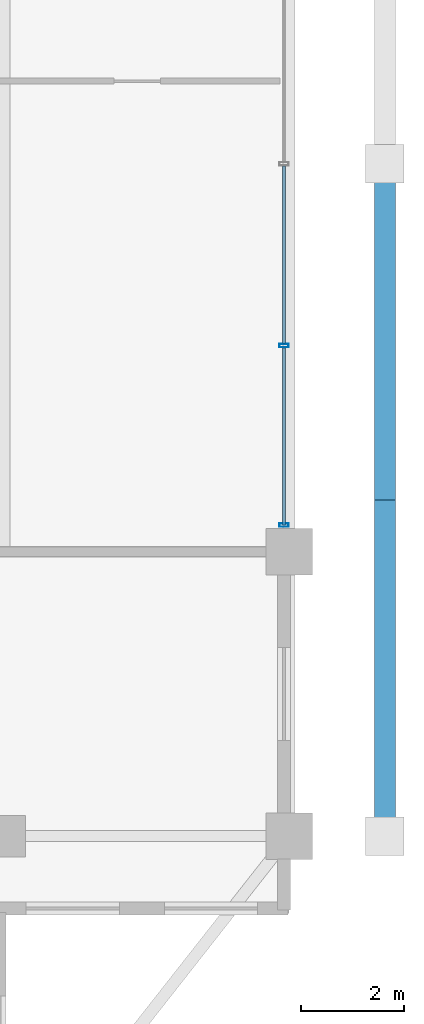
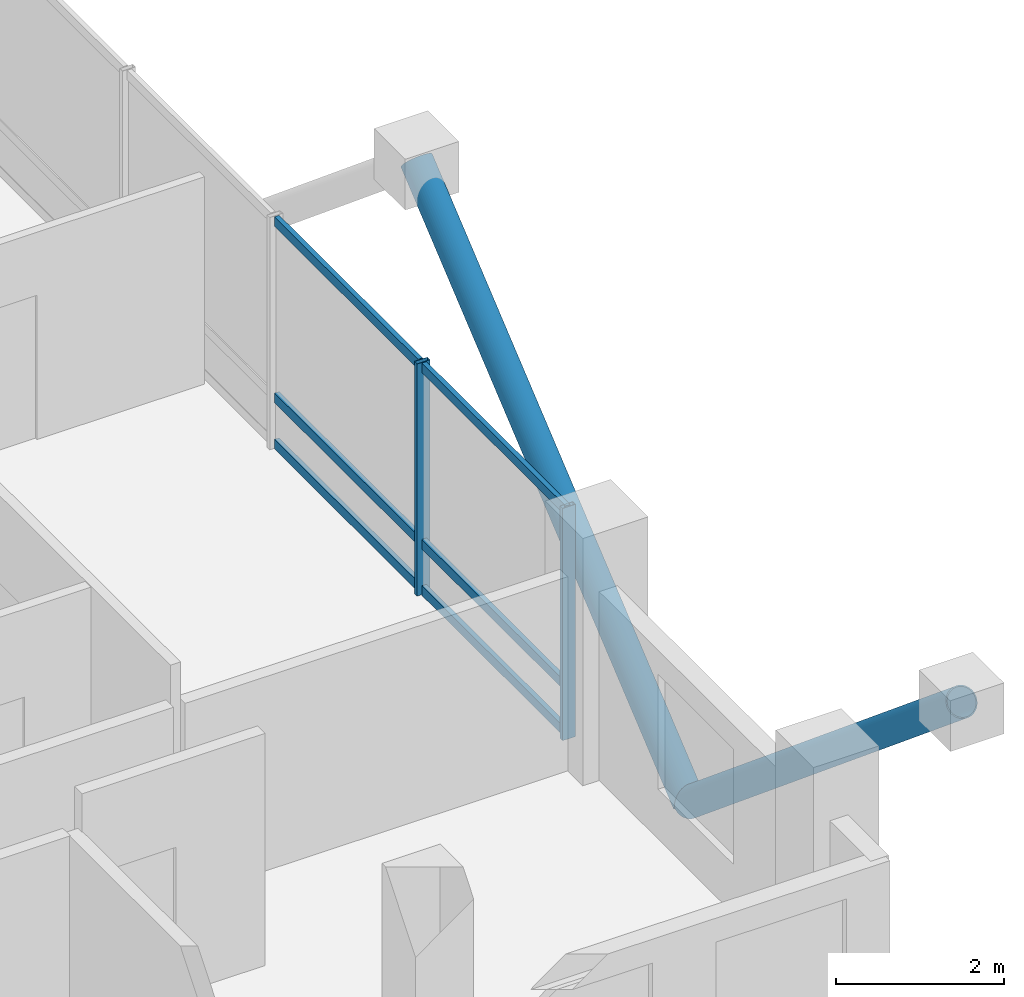
# One storey, part 11 of 23: 10 members, 1 element without a shape of its own.
"""IFC4 building model written with IfcOpenShell, lengths in metres."""

import ifcopenshell
import ifcopenshell.guid

model = None  # the IFC model being written
_history = None  # IfcOwnerHistory: only IFC2X3 demands one
_inside = {}  # id of a spatial element -> (the spatial element, [elements in it])
_under = {}  # id of a project, library or spatial element -> (it, [spatial elements below it])
_declared = {}  # id of a project -> (the project, [libraries it declares])
_typed = {}  # id of a type object -> (the type object, [elements of that type])
_made_of = {}  # id of a material, layer set ... -> (it, [elements and type objects made of it])


def new_model(schema):
    """Start an empty IFC model of exactly this schema.

    Asked for "IFC4X3", IfcOpenShell would pick the latest addendum, in which some entities
    have other attributes; the version numbers below select the first issue.
    IFC2X3 requires an IfcOwnerHistory on every rooted entity: one is made here for all.
    """
    global model, _history
    if schema == "IFC4X3":
        model = ifcopenshell.file(schema_version=(4, 3, 0, 0))
    else:
        model = ifcopenshell.file(schema=schema)
    _inside.clear()
    _under.clear()
    _declared.clear()
    _typed.clear()
    _made_of.clear()
    _history = None
    if model.schema == "IFC2X3":
        org = make("IfcOrganization", Name="unknown")
        user = make(
            "IfcPersonAndOrganization",
            ThePerson=make("IfcPerson", FamilyName="unknown"),
            TheOrganization=org,
        )
        app = make(
            "IfcApplication",
            ApplicationDeveloper=org,
            Version="unknown",
            ApplicationFullName="unknown",
            ApplicationIdentifier="unknown",
        )
        _history = make(
            "IfcOwnerHistory",
            OwningUser=user,
            OwningApplication=app,
            ChangeAction="ADDED",
            CreationDate=0,
        )
    return model


def make(cls, **values):
    """One entity of the class cls with the attributes given. An attribute that is None is left unset."""
    return model.create_entity(
        cls, **{name: value for name, value in values.items() if value is not None}
    )


def rooted(cls, **values):
    """An entity with a GlobalId (a new one), such as an element, a storey or a relation."""
    return make(cls, GlobalId=ifcopenshell.guid.new(), OwnerHistory=_history, **values)


def si_unit(unit_type, name, prefix=None):
    """IfcSIUnit, for example si_unit("LENGTHUNIT", "METRE", prefix="MILLI")."""
    return make("IfcSIUnit", UnitType=unit_type, Prefix=prefix, Name=name)


def assignment(units):
    """IfcUnitAssignment: the units of a project."""
    return None if units is None else make("IfcUnitAssignment", Units=units)


def point(xyz):
    """IfcCartesianPoint."""
    return None if xyz is None else make("IfcCartesianPoint", Coordinates=xyz)


def direction(xyz):
    """IfcDirection."""
    return None if xyz is None else make("IfcDirection", DirectionRatios=xyz)


def frame(location, z_axis=None, x_axis=None):
    """IfcAxis2Placement3D, a coordinate frame: its origin and axes. An axis left out is left unset."""
    return make(
        "IfcAxis2Placement3D",
        Location=point(location),
        Axis=direction(z_axis),
        RefDirection=direction(x_axis),
    )


def frame_2d(location, x_axis=None):
    """IfcAxis2Placement2D, a coordinate frame in the plane: its origin and x axis."""
    return make(
        "IfcAxis2Placement2D", Location=point(location), RefDirection=direction(x_axis)
    )


def origin():
    """The frame at (0, 0, 0) with its axes left unset."""
    return frame((0.0, 0.0, 0.0))


def origin_2d():
    """The frame at (0, 0) in the plane with its x axis left unset."""
    return frame_2d((0.0, 0.0))


def place(relative_to, where):
    """IfcLocalPlacement: puts the frame where relative to a parent placement (None: the world)."""
    return make(
        "IfcLocalPlacement", PlacementRelTo=relative_to, RelativePlacement=where
    )


def context(
    kind, dimensions, precision=None, world=None, true_north=None, identifier=None
):
    """IfcGeometricRepresentationContext, for example the 3D "Model" context."""
    return make(
        "IfcGeometricRepresentationContext",
        ContextIdentifier=identifier,
        ContextType=kind,
        CoordinateSpaceDimension=dimensions,
        Precision=precision,
        WorldCoordinateSystem=world,
        TrueNorth=true_north,
    )


def subcontext(parent, identifier, kind, view, scale=None):
    """IfcGeometricRepresentationSubContext, for example "Body" below "Model"."""
    return make(
        "IfcGeometricRepresentationSubContext",
        ContextIdentifier=identifier,
        ContextType=kind,
        ParentContext=parent,
        TargetScale=scale,
        TargetView=view,
    )


def project(units=None, contexts=None):
    """IfcProject with its units and contexts."""
    return rooted(
        "IfcProject",
        Name="project",
        RepresentationContexts=contexts,
        UnitsInContext=assignment(units),
    )


def spatial(cls, under=None, at=None, **own):
    """A site, building, storey or space (cls), placed at a placement, below another one or the project."""
    s = rooted(cls, ObjectPlacement=at, **own)
    if under is not None:
        _under.setdefault(under.id(), (under, []))[1].append(s)
    return s


def profile(cls, at=None, kind="AREA", **sizes):
    """A parametric profile (cls). Its sizes go by their IFC names, for example OverallWidth=200.0."""
    return make(cls, ProfileType=kind, Position=at, **sizes)


def hollow_rectangle(**sizes):
    """IfcRectangleHollowProfileDef."""
    return profile("IfcRectangleHollowProfileDef", **sizes)


def hollow_circle(**sizes):
    """IfcCircleHollowProfileDef."""
    return profile("IfcCircleHollowProfileDef", **sizes)


def extrude(swept, where, along, depth):
    """IfcExtrudedAreaSolid: the profile swept, set in the frame where, extruded along a direction by depth."""
    return make(
        "IfcExtrudedAreaSolid",
        SweptArea=swept,
        Position=where,
        ExtrudedDirection=direction(along),
        Depth=depth,
    )


def shape(context_of_items, identifier, shape_type, items):
    """IfcShapeRepresentation: the items that make up one representation, for example the "Body"."""
    return make(
        "IfcShapeRepresentation",
        ContextOfItems=context_of_items,
        RepresentationIdentifier=identifier,
        RepresentationType=shape_type,
        Items=items,
    )


def material(Name=None, Category=None):
    """IfcMaterial."""
    return make("IfcMaterial", Name=Name, Category=Category)


def layer(
    of_material, thickness, ventilated=None, Name=None, Category=None, Priority=None
):
    """IfcMaterialLayer: one layer of a wall or slab, of a material (None: an air gap)."""
    return make(
        "IfcMaterialLayer",
        Material=of_material,
        LayerThickness=thickness,
        IsVentilated=ventilated,
        Name=Name,
        Category=Category,
        Priority=Priority,
    )


def layer_set(layers, Name=None):
    """IfcMaterialLayerSet."""
    return make("IfcMaterialLayerSet", MaterialLayers=layers, LayerSetName=Name)


def material_profile(
    of_material, cross_section, Name=None, Category=None, Priority=None
):
    """IfcMaterialProfile: a cross section and its material."""
    return make(
        "IfcMaterialProfile",
        Name=Name,
        Material=of_material,
        Profile=cross_section,
        Priority=Priority,
        Category=Category,
    )


def profile_set(profiles, Name=None, composite=None):
    """IfcMaterialProfileSet."""
    return make(
        "IfcMaterialProfileSet",
        Name=Name,
        MaterialProfiles=profiles,
        CompositeProfile=composite,
    )


def made_of(thing, what):
    """Note that an element or type object is made of a material, layer set ...; save() writes the relation."""
    if what is not None:
        _made_of.setdefault(what.id(), (what, []))[1].append(thing)
    return thing


def type_object(cls, material=None, **own):
    """A type object (cls), such as IfcWallType, which elements share."""
    return made_of(rooted(cls, **own), material)


def element(
    cls,
    number,
    at=None,
    inside=None,
    cuts=None,
    type_object=None,
    material=None,
    context=None,
    identifier="Body",
    shape_type=None,
    held_by="IfcProductDefinitionShape",
    body=None,
    shapes=None,
    **own,
):
    """One element of the class cls, such as IfcWall. Its Tag is "e" and its number.

    at: its placement. inside: the storey or other place that contains it. cuts: it is an
    opening in that element (IfcRelVoidsElement). A single representation is given by context,
    identifier, shape_type and body (its items); several are given by shapes. held_by: the class
    of the entity that holds the representations. save() writes the other relations.
    """
    e = rooted(cls, Tag="e%d" % number, ObjectPlacement=at, **own)
    if body is not None:
        shapes = [shape(context, identifier, shape_type, body)]
    if shapes is not None:
        e.Representation = make(held_by, Representations=shapes)
    if inside is not None:
        _inside.setdefault(inside.id(), (inside, []))[1].append(e)
    if cuts is not None:
        rooted(
            "IfcRelVoidsElement", RelatingBuildingElement=cuts, RelatedOpeningElement=e
        )
    if type_object is not None:
        _typed.setdefault(type_object.id(), (type_object, []))[1].append(e)
    return made_of(e, material)


def aggregate(whole, parts):
    """IfcRelAggregates: a whole, such as a stair, and the parts it consists of."""
    return rooted("IfcRelAggregates", RelatingObject=whole, RelatedObjects=parts)


def save(model, path):
    """Write the relations noted so far, then the file.

    IfcRelAggregates (storeys below a building ...), IfcRelContainedInSpatialStructure (elements
    in a storey), IfcRelDefinesByType, IfcRelAssociatesMaterial and IfcRelDeclares: one each for
    every whole, place, type object, material and project.
    """
    for whole, parts in _under.values():
        aggregate(whole, parts)
    for where, things in _inside.values():
        rooted(
            "IfcRelContainedInSpatialStructure",
            RelatedElements=things,
            RelatingStructure=where,
        )
    for kind, things in _typed.values():
        rooted("IfcRelDefinesByType", RelatedObjects=things, RelatingType=kind)
    for what, things in _made_of.values():
        rooted("IfcRelAssociatesMaterial", RelatedObjects=things, RelatingMaterial=what)
    for by, libraries in _declared.values():
        rooted("IfcRelDeclares", RelatingContext=by, RelatedDefinitions=libraries)
    model.write(path)


model = new_model("IFC4")

# Units and contexts
model_context = context("Model", 3, precision=1e-05, world=origin(), true_north=direction((0.0, 1.0)))
body_context = subcontext(model_context, "Body", "Model", "MODEL_VIEW")
ifc_project = project(units=[si_unit("LENGTHUNIT", "METRE"), si_unit("AREAUNIT", "SQUARE_METRE"), si_unit("VOLUMEUNIT", "CUBIC_METRE"), si_unit("PLANEANGLEUNIT", "RADIAN"), si_unit("MASSUNIT", "GRAM", prefix="KILO")], contexts=[model_context])

# Site, building, storey
site_placement = place(None, origin())
site = spatial("IfcSite", under=ifc_project, at=site_placement, CompositionType="ELEMENT")
building_placement = place(site_placement, origin())
building = spatial("IfcBuilding", under=site, at=building_placement, Name="Barlavira Tower and Art Museum", CompositionType="ELEMENT")
storey_placement = place(building_placement, frame((0.0, 0.0, 279.89990234375)))
storey = spatial("IfcBuildingStorey", under=building, at=storey_placement, Name="L73", CompositionType="ELEMENT", Elevation=279.89990234375)

# Curtain wall, members
ifc_material_1 = material(Name="Low-iron coastal laminated glass", Category="glass")
ifc_layer = layer(ifc_material_1, 0.2099609375, Name="Low-iron coastal laminated glass")
ifc_layer_set = layer_set([ifc_layer], Name="Low-iron coastal laminated glass")
curtain_wall_type = type_object("IfcCurtainWallType", Name="Pale-Metal Unitised Curtain Wall Zone 4", PredefinedType="NOTDEFINED", material=ifc_layer_set)
curtain_wall_placement = place(storey_placement, origin())
curtain_wall = element("IfcCurtainWall", 1, at=curtain_wall_placement, inside=storey, type_object=curtain_wall_type, Name="L73 Curtain Wall CW4-L73-E-B3", PredefinedType="NOTDEFINED")
ifc_material_2 = material(Name="Pale anodised aluminium", Category="aluminium")
ifc_material_profile_1 = material_profile(ifc_material_2, hollow_rectangle(XDim=0.06494140625, YDim=0.179931640625, WallThickness=0.00390625, at=origin_2d()), Name="ALU-MULL 65x180x4")
ifc_profile_set_1 = profile_set([ifc_material_profile_1], Name="Pale anodised aluminium")
member_type_1 = type_object("IfcMemberType", Name="Curtain Wall Pale-Metal Mullion 65x180", PredefinedType="MULLION", material=ifc_profile_set_1)
member_1_placement = place(storey_placement, frame((16.89990234375, -6.985107421875, 0.0), z_axis=(0.0, 0.0, 1.0), x_axis=(0.0, 1.0, 0.0)))
member_1 = element("IfcMember", 2, at=member_1_placement, type_object=member_type_1, Name="CW4-L73-E-B3 Mullion 0", PredefinedType="MULLION", context=body_context, shape_type="SweptSolid", body=[
    extrude(hollow_rectangle(XDim=0.06494140625, YDim=0.179931640625, WallThickness=0.00390625, at=origin_2d()), origin(), (0.0, 0.0, 1.0), 3.380126953125),
])
member_2_placement = place(storey_placement, frame((16.89990234375, -3.514892578125, 0.0), z_axis=(0.0, 0.0, 1.0), x_axis=(0.0, 1.0, 0.0)))
member_2 = element("IfcMember", 3, at=member_2_placement, type_object=member_type_1, Name="CW4-L73-E-B3 Mullion 1", PredefinedType="MULLION", context=body_context, shape_type="SweptSolid", body=[
    extrude(hollow_rectangle(XDim=0.06494140625, YDim=0.179931640625, WallThickness=0.00390625, at=origin_2d()), origin(), (0.0, 0.0, 1.0), 3.380126953125),
])
ifc_material_profile_2 = material_profile(ifc_material_2, hollow_rectangle(XDim=0.06494140625, YDim=0.139892578125, WallThickness=0.00390625, at=origin_2d()), Name="ALU-TRAN 65x140x4")
ifc_profile_set_2 = profile_set([ifc_material_profile_2], Name="Pale anodised aluminium")
member_type_2 = type_object("IfcMemberType", Name="Curtain Wall Pale-Metal Transom 65x140", PredefinedType="USERDEFINED", material=ifc_profile_set_2)
member_3_placement = place(storey_placement, frame((16.89990234375, -6.985107421875, 0.070068359375), z_axis=(0.0, 1.0, 0.0), x_axis=(-1.0, 0.0, 0.0)))
member_3 = element("IfcMember", 4, at=member_3_placement, type_object=member_type_2, Name="CW4-L73-E-B3 Transom 0.1", ObjectType="TRANSOM", PredefinedType="USERDEFINED", context=body_context, shape_type="SweptSolid", body=[
    extrude(hollow_rectangle(XDim=0.06494140625, YDim=0.139892578125, WallThickness=0.00390625, at=origin_2d()), origin(), (0.0, 0.0, 1.0), 3.425048828125),
])
member_4_placement = place(storey_placement, frame((16.89990234375, -6.985107421875, 0.744140625), z_axis=(0.0, 1.0, 0.0), x_axis=(-1.0, 0.0, 0.0)))
member_4 = element("IfcMember", 5, at=member_4_placement, type_object=member_type_2, Name="CW4-L73-E-B3 Transom 0.2", ObjectType="TRANSOM", PredefinedType="USERDEFINED", context=body_context, shape_type="SweptSolid", body=[
    extrude(hollow_rectangle(XDim=0.06494140625, YDim=0.139892578125, WallThickness=0.00390625, at=origin_2d()), origin(), (0.0, 0.0, 1.0), 3.425048828125),
])
member_5_placement = place(storey_placement, frame((16.89990234375, -6.985107421875, 3.31005859375), z_axis=(0.0, 1.0, 0.0), x_axis=(-1.0, 0.0, 0.0)))
member_5 = element("IfcMember", 6, at=member_5_placement, type_object=member_type_2, Name="CW4-L73-E-B3 Transom 0.3", ObjectType="TRANSOM", PredefinedType="USERDEFINED", context=body_context, shape_type="SweptSolid", body=[
    extrude(hollow_rectangle(XDim=0.06494140625, YDim=0.139892578125, WallThickness=0.00390625, at=origin_2d()), origin(), (0.0, 0.0, 1.0), 3.425048828125),
])
member_6_placement = place(storey_placement, frame((16.89990234375, -3.469970703125, 0.070068359375), z_axis=(0.0, 1.0, 0.0), x_axis=(-1.0, 0.0, 0.0)))
member_6 = element("IfcMember", 7, at=member_6_placement, type_object=member_type_2, Name="CW4-L73-E-B3 Transom 1.1", ObjectType="TRANSOM", PredefinedType="USERDEFINED", context=body_context, shape_type="SweptSolid", body=[
    extrude(hollow_rectangle(XDim=0.06494140625, YDim=0.139892578125, WallThickness=0.00390625, at=origin_2d()), origin(), (0.0, 0.0, 1.0), 3.425048828125),
])
member_7_placement = place(storey_placement, frame((16.89990234375, -3.469970703125, 0.744140625), z_axis=(0.0, 1.0, 0.0), x_axis=(-1.0, 0.0, 0.0)))
member_7 = element("IfcMember", 8, at=member_7_placement, type_object=member_type_2, Name="CW4-L73-E-B3 Transom 1.2", ObjectType="TRANSOM", PredefinedType="USERDEFINED", context=body_context, shape_type="SweptSolid", body=[
    extrude(hollow_rectangle(XDim=0.06494140625, YDim=0.139892578125, WallThickness=0.00390625, at=origin_2d()), origin(), (0.0, 0.0, 1.0), 3.425048828125),
])
member_8_placement = place(storey_placement, frame((16.89990234375, -3.469970703125, 3.31005859375), z_axis=(0.0, 1.0, 0.0), x_axis=(-1.0, 0.0, 0.0)))
member_8 = element("IfcMember", 9, at=member_8_placement, type_object=member_type_2, Name="CW4-L73-E-B3 Transom 1.3", ObjectType="TRANSOM", PredefinedType="USERDEFINED", context=body_context, shape_type="SweptSolid", body=[
    extrude(hollow_rectangle(XDim=0.06494140625, YDim=0.139892578125, WallThickness=0.00390625, at=origin_2d()), origin(), (0.0, 0.0, 1.0), 3.425048828125),
])
aggregate(curtain_wall, [member_1, member_2, member_3, member_4, member_5, member_6, member_7, member_8])

# Members
ifc_material_3 = material(Name="Steel S355", Category="steel")
ifc_material_profile_3 = material_profile(ifc_material_3, hollow_circle(Radius=0.203125, WallThickness=0.01611328125, at=origin_2d()), Name="CHS 406.4x16.0")
ifc_profile_set_3 = profile_set([ifc_material_profile_3], Name="Steel S355")
member_type_3 = type_object("IfcMemberType", Name="Pale-Metal Exoskeleton Diagrid Tube CHS 406x16 Steel S355", PredefinedType="BRACE", material=ifc_profile_set_3)
for number, where, z_axis, x_axis, name in (
    (10, (18.85009765625, -6.5, -1.919921875), (0.0, -0.769196053329, 0.639012857104), (1.0, 0.0, 0.0), "L73 Exoskeleton Diagrid Tube E"),
    (11, (18.85009765625, -6.5, -1.919921875), (0.0, 0.769196053329, 0.639012857104), (-1.0, 0.0, 0.0), "L73 Exoskeleton Diagrid Tube E"),
):
    element("IfcMember", number, at=place(storey_placement, frame(where, z_axis=z_axis, x_axis=x_axis)), inside=storey, type_object=member_type_3, Name=name, PredefinedType="BRACE", context=body_context, shape_type="SweptSolid", body=[
        extrude(hollow_circle(Radius=0.203125, WallThickness=0.01611328125, at=origin_2d()), origin(), (0.0, 0.0, 1.0), 8.450439453125),
    ])

save(model, "model.ifc")
